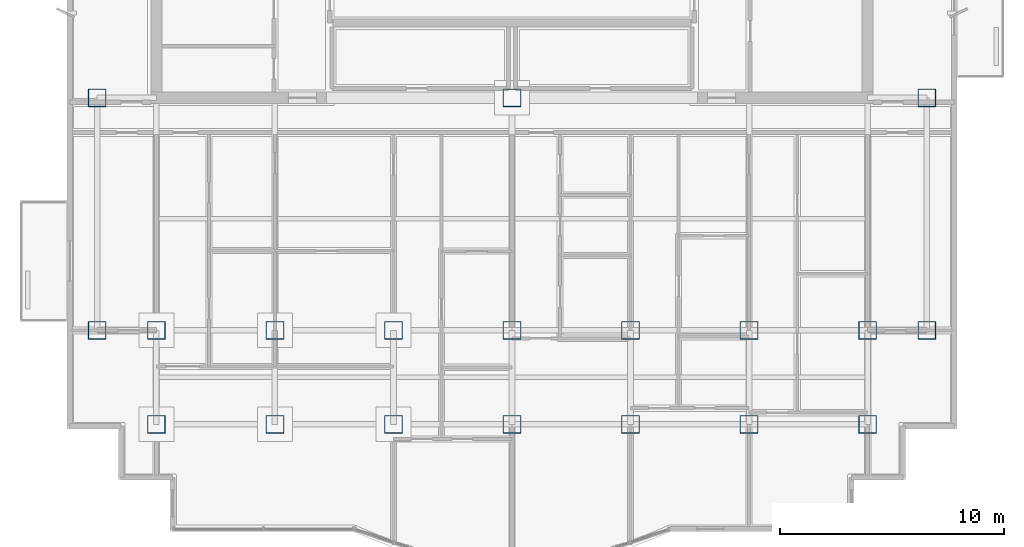
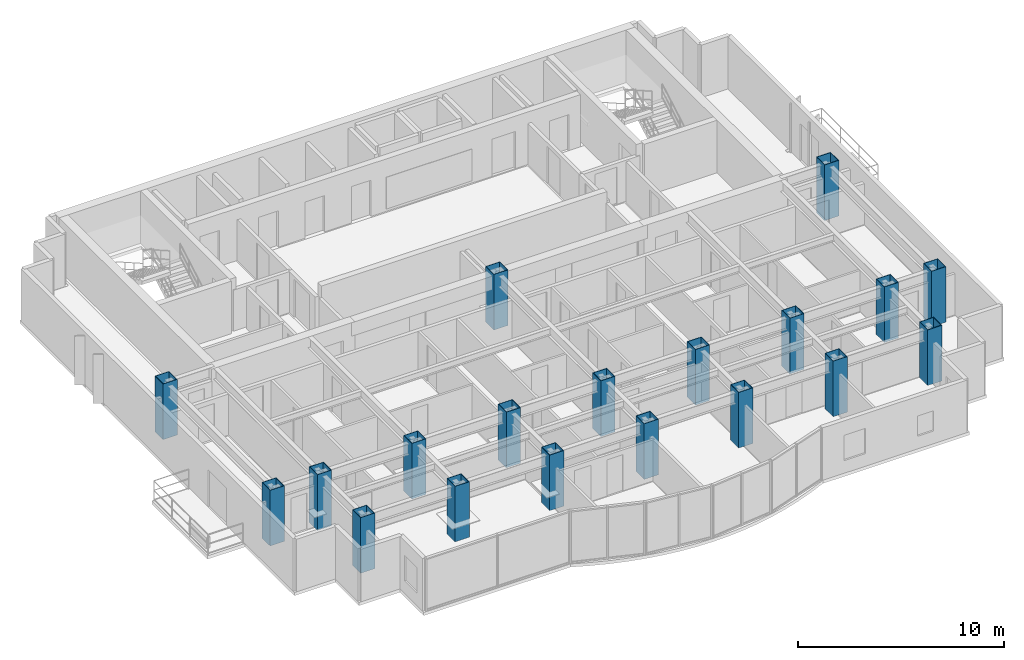
# One storey, part 1 of 9: 19 columns.
"""IFC4 building model written with IfcOpenShell, lengths in metres."""

from ifc_helpers import new_model, si_unit, direction, frame, origin, origin_2d, place, context, subcontext, project, spatial, hollow_rectangle, extrude, material, material_profile, profile_set, type_object, element, save


model = new_model("IFC4")

# Units and contexts
model_context = context("Model", 3, precision=1e-05, world=origin(), true_north=direction((0.0, 1.0)))
body_context = subcontext(model_context, "Body", "Model", "MODEL_VIEW")
ifc_project = project(units=[si_unit("LENGTHUNIT", "METRE"), si_unit("AREAUNIT", "SQUARE_METRE"), si_unit("VOLUMEUNIT", "CUBIC_METRE"), si_unit("PLANEANGLEUNIT", "RADIAN"), si_unit("MASSUNIT", "GRAM", prefix="KILO")], contexts=[model_context])

# Site, building, storey
site_placement = place(None, origin())
site = spatial("IfcSite", under=ifc_project, at=site_placement, CompositionType="ELEMENT")
building_placement = place(site_placement, origin())
building = spatial("IfcBuilding", under=site, at=building_placement, Name="Qianlan Lanfeng Residences", CompositionType="ELEMENT")
storey_placement = place(building_placement, frame((0.0, 0.0, 213.199951171875)))
storey = spatial("IfcBuildingStorey", under=building, at=storey_placement, Name="L58", CompositionType="ELEMENT", Elevation=213.199951171875)

# Columns
ifc_material = material(Name="Steel SN490B", Category="steel")
ifc_material_profile_1 = material_profile(ifc_material, hollow_rectangle(XDim=0.800048828125, YDim=0.800048828125, WallThickness=0.028076171875, at=origin_2d()), Name="BOX 800x800x28")
ifc_profile_set_1 = profile_set([ifc_material_profile_1], Name="Steel SN490B")
column_type_1 = type_object("IfcColumnType", Name="C-B850", PredefinedType="COLUMN", material=ifc_profile_set_1)
for number, where, z_axis, x_axis, name in (
    (1, (26.5, 25.199951171875, 0.0), (0.0, 0.0, 1.0), (1.0, 0.0, 0.0), "L58 Structural Column CP_26.5_25.2"),
    (2, (10.60009765625, 14.800048828125, 0.0), (0.0, 0.0, 1.0), (1.0, 0.0, 0.0), "L58 Structural Column M_10.60_14.80"),
    (3, (15.89990234375, 14.800048828125, 0.0), (0.0, 0.0, 1.0), (1.0, 0.0, 0.0), "L58 Structural Column M_15.90_14.80"),
    (4, (15.89990234375, 10.60009765625, 0.0), (0.0, 0.0, 1.0), (1.0, 0.0, 0.0), "L58 Structural Column G_15.90_10.60"),
    (5, (21.199951171875, 14.800048828125, 0.0), (0.0, 0.0, 1.0), (1.0, 0.0, 0.0), "L58 Structural Column M_21.20_14.80"),
    (6, (21.199951171875, 10.60009765625, 0.0), (0.0, 0.0, 1.0), (1.0, 0.0, 0.0), "L58 Structural Column G_21.20_10.60"),
    (7, (26.5, 14.800048828125, 0.0), (0.0, 0.0, 1.0), (1.0, 0.0, 0.0), "L58 Structural Column M_26.50_14.80"),
    (8, (26.5, 10.60009765625, 0.0), (0.0, 0.0, 1.0), (1.0, 0.0, 0.0), "L58 Structural Column G_26.50_10.60"),
    (9, (31.800048828125, 14.800048828125, 0.0), (0.0, 0.0, 1.0), (1.0, 0.0, 0.0), "L58 Structural Column M_31.80_14.80"),
    (10, (31.800048828125, 10.60009765625, 0.0), (0.0, 0.0, 1.0), (1.0, 0.0, 0.0), "L58 Structural Column G_31.80_10.60"),
    (11, (37.10009765625, 14.800048828125, 0.0), (0.0, 0.0, 1.0), (1.0, 0.0, 0.0), "L58 Structural Column M_37.10_14.80"),
    (12, (37.10009765625, 10.60009765625, 0.0), (0.0, 0.0, 1.0), (1.0, 0.0, 0.0), "L58 Structural Column G_37.10_10.60"),
    (13, (42.39990234375, 14.800048828125, 0.0), (0.0, 0.0, 1.0), (1.0, 0.0, 0.0), "L58 Structural Column M_42.40_14.80"),
):
    element("IfcColumn", number, at=place(storey_placement, frame(where, z_axis=z_axis, x_axis=x_axis)), inside=storey, type_object=column_type_1, Name=name, PredefinedType="COLUMN", context=body_context, shape_type="SweptSolid", body=[
        extrude(hollow_rectangle(XDim=0.800048828125, YDim=0.800048828125, WallThickness=0.028076171875, at=origin_2d()), origin(), (0.0, 0.0, 1.0), 3.300048828125),
    ])
ifc_material_profile_2 = material_profile(ifc_material, hollow_rectangle(XDim=0.800048828125, YDim=0.800048828125, WallThickness=0.028076171875, at=origin_2d()), Name="BOX 800x800x28")
ifc_profile_set_2 = profile_set([ifc_material_profile_2], Name="Steel SN490B")
column_type_2 = type_object("IfcColumnType", Name="CE-B800", PredefinedType="COLUMN", material=ifc_profile_set_2)
for number, where, z_axis, x_axis, name in (
    (14, (10.60009765625, 10.60009765625, 0.0), (0.0, 0.0, 1.0), (1.0, 0.0, 0.0), "L58 Structural Column G_10.60_10.60"),
    (15, (42.39990234375, 10.60009765625, 0.0), (0.0, 0.0, 1.0), (1.0, 0.0, 0.0), "L58 Structural Column G_42.40_10.60"),
    (16, (7.949951171875, 14.800048828125, 0.0), (0.0, 0.0, 1.0), (1.0, 0.0, 0.0), "L58 Structural Column W_7.95_14.80"),
    (17, (7.949951171875, 25.199951171875, 0.0), (0.0, 0.0, 1.0), (1.0, 0.0, 0.0), "L58 Structural Column W_7.95_25.20"),
    (18, (45.050048828125, 14.800048828125, 0.0), (0.0, 0.0, 1.0), (1.0, 0.0, 0.0), "L58 Structural Column W_45.05_14.80"),
    (19, (45.050048828125, 25.199951171875, 0.0), (0.0, 0.0, 1.0), (1.0, 0.0, 0.0), "L58 Structural Column W_45.05_25.20"),
):
    element("IfcColumn", number, at=place(storey_placement, frame(where, z_axis=z_axis, x_axis=x_axis)), inside=storey, type_object=column_type_2, Name=name, PredefinedType="COLUMN", context=body_context, shape_type="SweptSolid", body=[
        extrude(hollow_rectangle(XDim=0.800048828125, YDim=0.800048828125, WallThickness=0.028076171875, at=origin_2d()), origin(), (0.0, 0.0, 1.0), 3.300048828125),
    ])

save(model, "model.ifc")
